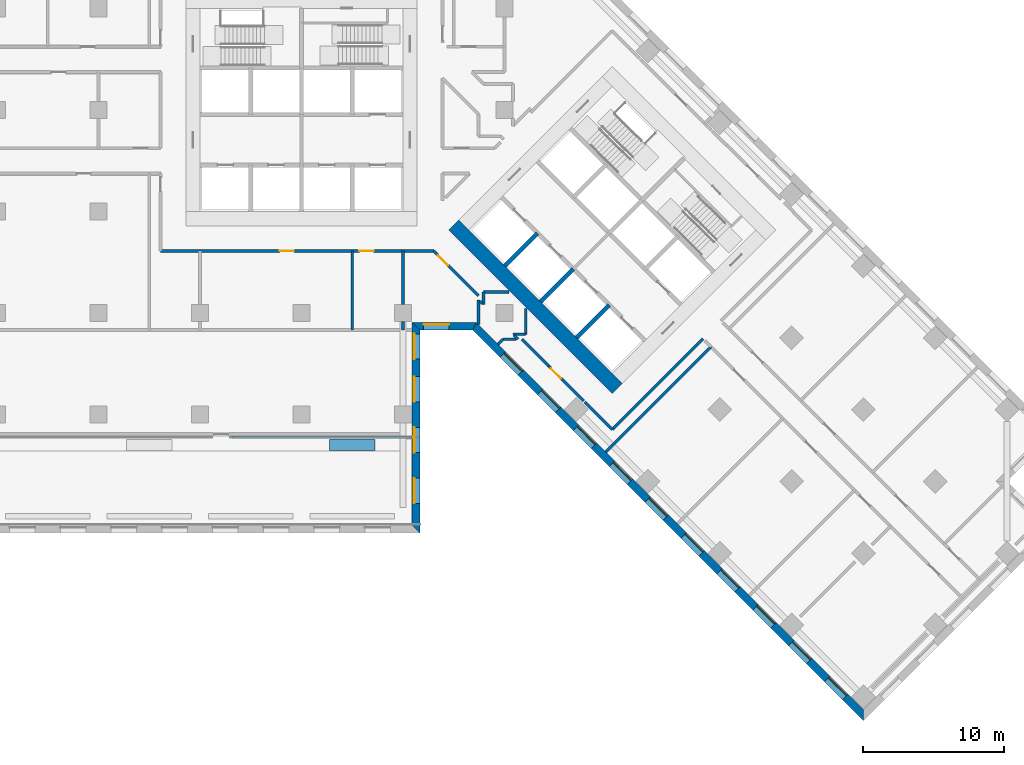
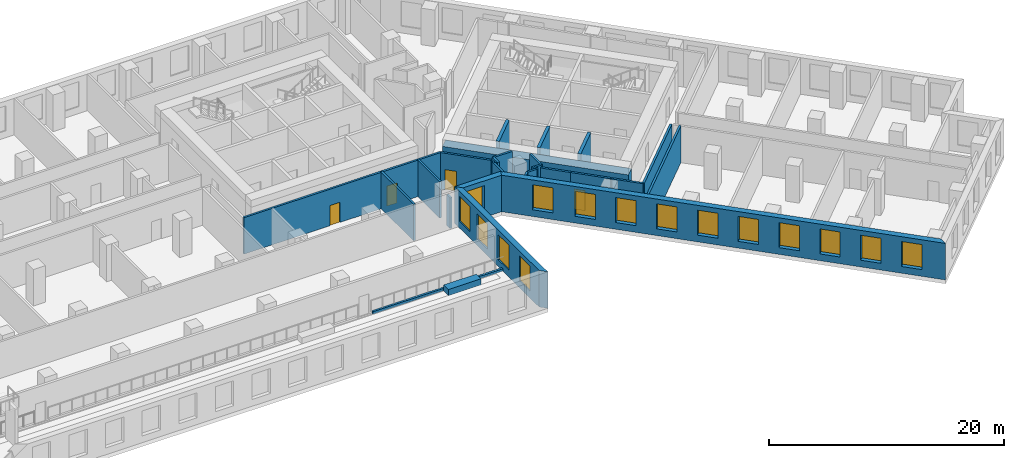
# One storey, part 6 of 13: 28 walls, 15 windows, 4 doors, 19 openings.
"""IFC4 building model written with IfcOpenShell, lengths in metres."""

from ifc_helpers import new_model, si_unit, direction, frame, frame_2d, origin, place, context, subcontext, project, spatial, polyline, rectangle, outline, extrude, material, layer, layer_set, type_object, element, fill, save


model = new_model("IFC4")

# Units and contexts
model_context = context("Model", 3, precision=1e-05, world=origin(), true_north=direction((0.0, 1.0)))
body_context = subcontext(model_context, "Body", "Model", "MODEL_VIEW")
ifc_project = project(units=[si_unit("LENGTHUNIT", "METRE"), si_unit("AREAUNIT", "SQUARE_METRE"), si_unit("VOLUMEUNIT", "CUBIC_METRE"), si_unit("PLANEANGLEUNIT", "RADIAN"), si_unit("MASSUNIT", "GRAM", prefix="KILO")], contexts=[model_context])

# Site, building, storey
site_placement = place(None, origin())
site = spatial("IfcSite", under=ifc_project, at=site_placement, CompositionType="ELEMENT")
building_placement = place(site_placement, origin())
building = spatial("IfcBuilding", under=site, at=building_placement, Name="Windrow Commons", CompositionType="ELEMENT")
storey_placement = place(building_placement, frame((0.0, 0.0, 14.4)))
storey = spatial("IfcBuildingStorey", under=building, at=storey_placement, Name="L03", CompositionType="ELEMENT", Elevation=14.4)

# Wall, openings, windows
ifc_material_1 = material(Name="Brick masonry, red clay brick", Category="masonry")
ifc_layer_1 = layer(ifc_material_1, 0.55)
ifc_layer_set_1 = layer_set([ifc_layer_1], Name="Brick facade wall 550")
wall_type_1 = type_object("IfcWallType", Name="Brick facade wall 550", PredefinedType="SOLIDWALL", material=ifc_layer_set_1)
wall_1_placement = place(storey_placement, frame((72.925, 27.875, 0.0), z_axis=(0.0, 0.0, 1.0), x_axis=(0.0, 1.0, 0.0)))
wall_1 = element("IfcWall", 1, at=wall_1_placement, inside=storey, type_object=wall_type_1, Name="Brick facade wall L03 14", PredefinedType="SOLIDWALL", context=body_context, shape_type="SweptSolid", body=[
    extrude(outline(polyline([(-0.275, -0.275), (14.125, -0.275), (14.675, 0.275), (0.275, 0.275), (-0.275, -0.275)])), origin(), (0.0, 0.0, 1.0), 3.8),
])
opening_1_placement = place(wall_1_placement, frame((1.825, 0.0, 0.7)))
opening_1 = element("IfcOpeningElement", 2, at=opening_1_placement, cuts=wall_1, Name="Opening W2", PredefinedType="OPENING", context=body_context, shape_type="SweptSolid", body=[
    extrude(rectangle(XDim=1.8, YDim=2.6, at=frame_2d((0.9, 1.3))), frame((0.0, 0.285, 0.0), z_axis=(0.0, -1.0, 0.0), x_axis=(1.0, 0.0, 0.0)), (0.0, 0.0, 1.0), 0.57),
])
opening_2_placement = place(wall_1_placement, frame((5.425, 0.0, 0.7)))
opening_2 = element("IfcOpeningElement", 3, at=opening_2_placement, cuts=wall_1, Name="Opening W2", PredefinedType="OPENING", context=body_context, shape_type="SweptSolid", body=[
    extrude(rectangle(XDim=1.8, YDim=2.6, at=frame_2d((0.9, 1.3))), frame((0.0, 0.285, 0.0), z_axis=(0.0, -1.0, 0.0), x_axis=(1.0, 0.0, 0.0)), (0.0, 0.0, 1.0), 0.57),
])
opening_3_placement = place(wall_1_placement, frame((9.025, 0.0, 0.7)))
opening_3 = element("IfcOpeningElement", 4, at=opening_3_placement, cuts=wall_1, Name="Opening W2", PredefinedType="OPENING", context=body_context, shape_type="SweptSolid", body=[
    extrude(rectangle(XDim=1.8, YDim=2.6, at=frame_2d((0.9, 1.3))), frame((0.0, 0.285, 0.0), z_axis=(0.0, -1.0, 0.0), x_axis=(1.0, 0.0, 0.0)), (0.0, 0.0, 1.0), 0.57),
])
opening_4_placement = place(wall_1_placement, frame((12.0625, 0.0, 0.7)))
opening_4 = element("IfcOpeningElement", 5, at=opening_4_placement, cuts=wall_1, Name="Opening W2", PredefinedType="OPENING", context=body_context, shape_type="SweptSolid", body=[
    extrude(rectangle(XDim=1.8, YDim=2.6, at=frame_2d((0.9, 1.3))), frame((0.0, 0.285, 0.0), z_axis=(0.0, -1.0, 0.0), x_axis=(1.0, 0.0, 0.0)), (0.0, 0.0, 1.0), 0.57),
])
ifc_material_2 = material(Name="Clear float glass in anodised aluminium frame", Category="aluminium")
window_type = type_object("IfcWindowType", Name="Window W2 podium 1800x2600", PartitioningType="SINGLE_PANEL", PredefinedType="WINDOW", material=ifc_material_2)
window_1_placement = place(opening_1_placement, origin())
window_1 = element("IfcWindow", 6, at=window_1_placement, inside=storey, type_object=window_type, Name="Window L03 14.1", OverallHeight=2.6, OverallWidth=1.8, PartitioningType="SINGLE_PANEL", PredefinedType="WINDOW", context=body_context, shape_type="SweptSolid", body=[
    extrude(rectangle(XDim=1.8, YDim=2.6, at=frame_2d((0.9, 1.3))), frame((0.0, 0.155, 0.0), z_axis=(0.0, -1.0, 0.0), x_axis=(1.0, 0.0, 0.0)), (0.0, 0.0, 1.0), 0.06),
])
fill(opening_1, window_1)
window_2_placement = place(opening_2_placement, origin())
window_2 = element("IfcWindow", 7, at=window_2_placement, inside=storey, type_object=window_type, Name="Window L03 14.2", OverallHeight=2.6, OverallWidth=1.8, PartitioningType="SINGLE_PANEL", PredefinedType="WINDOW", context=body_context, shape_type="SweptSolid", body=[
    extrude(rectangle(XDim=1.8, YDim=2.6, at=frame_2d((0.9, 1.3))), frame((0.0, 0.155, 0.0), z_axis=(0.0, -1.0, 0.0), x_axis=(1.0, 0.0, 0.0)), (0.0, 0.0, 1.0), 0.06),
])
fill(opening_2, window_2)
window_3_placement = place(opening_3_placement, origin())
window_3 = element("IfcWindow", 8, at=window_3_placement, inside=storey, type_object=window_type, Name="Window L03 14.3", OverallHeight=2.6, OverallWidth=1.8, PartitioningType="SINGLE_PANEL", PredefinedType="WINDOW", context=body_context, shape_type="SweptSolid", body=[
    extrude(rectangle(XDim=1.8, YDim=2.6, at=frame_2d((0.9, 1.3))), frame((0.0, 0.155, 0.0), z_axis=(0.0, -1.0, 0.0), x_axis=(1.0, 0.0, 0.0)), (0.0, 0.0, 1.0), 0.06),
])
fill(opening_3, window_3)
window_4_placement = place(opening_4_placement, origin())
window_4 = element("IfcWindow", 9, at=window_4_placement, inside=storey, type_object=window_type, Name="Window L03 14.4", OverallHeight=2.6, OverallWidth=1.8, PartitioningType="SINGLE_PANEL", PredefinedType="WINDOW", context=body_context, shape_type="SweptSolid", body=[
    extrude(rectangle(XDim=1.8, YDim=2.6, at=frame_2d((0.9, 1.3))), frame((0.0, 0.155, 0.0), z_axis=(0.0, -1.0, 0.0), x_axis=(1.0, 0.0, 0.0)), (0.0, 0.0, 1.0), 0.06),
])
fill(opening_4, window_4)

# Wall, opening, window
wall_2_placement = place(storey_placement, frame((72.925, 42.275, 0.0), z_axis=(0.0, 0.0, 1.0), x_axis=(1.0, 0.0, 0.0)))
wall_2 = element("IfcWall", 10, at=wall_2_placement, inside=storey, type_object=wall_type_1, Name="Brick facade wall L03 15", PredefinedType="SOLIDWALL", context=body_context, shape_type="SweptSolid", body=[
    extrude(outline(polyline([(0.275, -0.275), (4.0309, -0.275), (4.2587, 0.275), (-0.275, 0.275), (0.275, -0.275)])), origin(), (0.0, 0.0, 1.0), 3.8),
])
opening_5_placement = place(wall_2_placement, frame((0.5375, 0.0, 0.7)))
opening_5 = element("IfcOpeningElement", 11, at=opening_5_placement, cuts=wall_2, Name="Opening W2", PredefinedType="OPENING", context=body_context, shape_type="SweptSolid", body=[
    extrude(rectangle(XDim=1.8, YDim=2.6, at=frame_2d((0.9, 1.3))), frame((0.0, 0.285, 0.0), z_axis=(0.0, -1.0, 0.0), x_axis=(1.0, 0.0, 0.0)), (0.0, 0.0, 1.0), 0.57),
])
window_5_placement = place(opening_5_placement, origin())
window_5 = element("IfcWindow", 12, at=window_5_placement, inside=storey, type_object=window_type, Name="Window L03 15.1", OverallHeight=2.6, OverallWidth=1.8, PartitioningType="SINGLE_PANEL", PredefinedType="WINDOW", context=body_context, shape_type="SweptSolid", body=[
    extrude(rectangle(XDim=1.8, YDim=2.6, at=frame_2d((0.9, 1.3))), frame((0.0, 0.155, 0.0), z_axis=(0.0, -1.0, 0.0), x_axis=(1.0, 0.0, 0.0)), (0.0, 0.0, 1.0), 0.06),
])
fill(opening_5, window_5)

# Wall, openings, windows
wall_3_placement = place(storey_placement, frame((77.0698, 42.275, 0.0), z_axis=(0.0, 0.0, 1.0), x_axis=(0.7071067812, -0.7071067812, 0.0)))
wall_3 = element("IfcWall", 13, at=wall_3_placement, inside=storey, type_object=wall_type_1, Name="Brick facade wall L03 16", PredefinedType="SOLIDWALL", context=body_context, shape_type="SweptSolid", body=[
    extrude(outline(polyline([(0.1139, -0.275), (39.2875, -0.275), (38.7375, 0.275), (-0.1139, 0.275), (0.1139, -0.275)])), origin(), (0.0, 0.0, 1.0), 3.8),
])
opening_6_placement = place(wall_3_placement, frame((2.8375, 0.0, 0.7)))
opening_6 = element("IfcOpeningElement", 14, at=opening_6_placement, cuts=wall_3, Name="Opening W2", PredefinedType="OPENING", context=body_context, shape_type="SweptSolid", body=[
    extrude(rectangle(XDim=1.8, YDim=2.6, at=frame_2d((0.9, 1.3))), frame((0.0, 0.285, 0.0), z_axis=(0.0, -1.0, 0.0), x_axis=(1.0, 0.0, 0.0)), (0.0, 0.0, 1.0), 0.57),
])
opening_7_placement = place(wall_3_placement, frame((6.5875, 0.0, 0.7)))
opening_7 = element("IfcOpeningElement", 15, at=opening_7_placement, cuts=wall_3, Name="Opening W2", PredefinedType="OPENING", context=body_context, shape_type="SweptSolid", body=[
    extrude(rectangle(XDim=1.8, YDim=2.6, at=frame_2d((0.9, 1.3))), frame((0.0, 0.285, 0.0), z_axis=(0.0, -1.0, 0.0), x_axis=(1.0, 0.0, 0.0)), (0.0, 0.0, 1.0), 0.57),
])
opening_8_placement = place(wall_3_placement, frame((10.1875, 0.0, 0.7)))
opening_8 = element("IfcOpeningElement", 16, at=opening_8_placement, cuts=wall_3, Name="Opening W2", PredefinedType="OPENING", context=body_context, shape_type="SweptSolid", body=[
    extrude(rectangle(XDim=1.8, YDim=2.6, at=frame_2d((0.9, 1.3))), frame((0.0, 0.285, 0.0), z_axis=(0.0, -1.0, 0.0), x_axis=(1.0, 0.0, 0.0)), (0.0, 0.0, 1.0), 0.57),
])
opening_9_placement = place(wall_3_placement, frame((13.7875, 0.0, 0.7)))
opening_9 = element("IfcOpeningElement", 17, at=opening_9_placement, cuts=wall_3, Name="Opening W2", PredefinedType="OPENING", context=body_context, shape_type="SweptSolid", body=[
    extrude(rectangle(XDim=1.8, YDim=2.6, at=frame_2d((0.9, 1.3))), frame((0.0, 0.285, 0.0), z_axis=(0.0, -1.0, 0.0), x_axis=(1.0, 0.0, 0.0)), (0.0, 0.0, 1.0), 0.57),
])
opening_10_placement = place(wall_3_placement, frame((17.3875, 0.0, 0.7)))
opening_10 = element("IfcOpeningElement", 18, at=opening_10_placement, cuts=wall_3, Name="Opening W2", PredefinedType="OPENING", context=body_context, shape_type="SweptSolid", body=[
    extrude(rectangle(XDim=1.8, YDim=2.6, at=frame_2d((0.9, 1.3))), frame((0.0, 0.285, 0.0), z_axis=(0.0, -1.0, 0.0), x_axis=(1.0, 0.0, 0.0)), (0.0, 0.0, 1.0), 0.57),
])
opening_11_placement = place(wall_3_placement, frame((20.9875, 0.0, 0.7)))
opening_11 = element("IfcOpeningElement", 19, at=opening_11_placement, cuts=wall_3, Name="Opening W2", PredefinedType="OPENING", context=body_context, shape_type="SweptSolid", body=[
    extrude(rectangle(XDim=1.8, YDim=2.6, at=frame_2d((0.9, 1.3))), frame((0.0, 0.285, 0.0), z_axis=(0.0, -1.0, 0.0), x_axis=(1.0, 0.0, 0.0)), (0.0, 0.0, 1.0), 0.57),
])
opening_12_placement = place(wall_3_placement, frame((24.5875, 0.0, 0.7)))
opening_12 = element("IfcOpeningElement", 20, at=opening_12_placement, cuts=wall_3, Name="Opening W2", PredefinedType="OPENING", context=body_context, shape_type="SweptSolid", body=[
    extrude(rectangle(XDim=1.8, YDim=2.6, at=frame_2d((0.9, 1.3))), frame((0.0, 0.285, 0.0), z_axis=(0.0, -1.0, 0.0), x_axis=(1.0, 0.0, 0.0)), (0.0, 0.0, 1.0), 0.57),
])
opening_13_placement = place(wall_3_placement, frame((28.1875, 0.0, 0.7)))
opening_13 = element("IfcOpeningElement", 21, at=opening_13_placement, cuts=wall_3, Name="Opening W2", PredefinedType="OPENING", context=body_context, shape_type="SweptSolid", body=[
    extrude(rectangle(XDim=1.8, YDim=2.6, at=frame_2d((0.9, 1.3))), frame((0.0, 0.285, 0.0), z_axis=(0.0, -1.0, 0.0), x_axis=(1.0, 0.0, 0.0)), (0.0, 0.0, 1.0), 0.57),
])
opening_14_placement = place(wall_3_placement, frame((31.7875, 0.0, 0.7)))
opening_14 = element("IfcOpeningElement", 22, at=opening_14_placement, cuts=wall_3, Name="Opening W2", PredefinedType="OPENING", context=body_context, shape_type="SweptSolid", body=[
    extrude(rectangle(XDim=1.8, YDim=2.6, at=frame_2d((0.9, 1.3))), frame((0.0, 0.285, 0.0), z_axis=(0.0, -1.0, 0.0), x_axis=(1.0, 0.0, 0.0)), (0.0, 0.0, 1.0), 0.57),
])
opening_15_placement = place(wall_3_placement, frame((35.3875, 0.0, 0.7)))
opening_15 = element("IfcOpeningElement", 23, at=opening_15_placement, cuts=wall_3, Name="Opening W2", PredefinedType="OPENING", context=body_context, shape_type="SweptSolid", body=[
    extrude(rectangle(XDim=1.8, YDim=2.6, at=frame_2d((0.9, 1.3))), frame((0.0, 0.285, 0.0), z_axis=(0.0, -1.0, 0.0), x_axis=(1.0, 0.0, 0.0)), (0.0, 0.0, 1.0), 0.57),
])
window_6_placement = place(opening_6_placement, origin())
window_6 = element("IfcWindow", 24, at=window_6_placement, inside=storey, type_object=window_type, Name="Window L03 16.1", OverallHeight=2.6, OverallWidth=1.8, PartitioningType="SINGLE_PANEL", PredefinedType="WINDOW", context=body_context, shape_type="SweptSolid", body=[
    extrude(rectangle(XDim=1.8, YDim=2.6, at=frame_2d((0.9, 1.3))), frame((0.0, 0.155, 0.0), z_axis=(0.0, -1.0, 0.0), x_axis=(1.0, 0.0, 0.0)), (0.0, 0.0, 1.0), 0.06),
])
fill(opening_6, window_6)
window_7_placement = place(opening_7_placement, origin())
window_7 = element("IfcWindow", 25, at=window_7_placement, inside=storey, type_object=window_type, Name="Window L03 16.2", OverallHeight=2.6, OverallWidth=1.8, PartitioningType="SINGLE_PANEL", PredefinedType="WINDOW", context=body_context, shape_type="SweptSolid", body=[
    extrude(rectangle(XDim=1.8, YDim=2.6, at=frame_2d((0.9, 1.3))), frame((0.0, 0.155, 0.0), z_axis=(0.0, -1.0, 0.0), x_axis=(1.0, 0.0, 0.0)), (0.0, 0.0, 1.0), 0.06),
])
fill(opening_7, window_7)
window_8_placement = place(opening_8_placement, origin())
window_8 = element("IfcWindow", 26, at=window_8_placement, inside=storey, type_object=window_type, Name="Window L03 16.3", OverallHeight=2.6, OverallWidth=1.8, PartitioningType="SINGLE_PANEL", PredefinedType="WINDOW", context=body_context, shape_type="SweptSolid", body=[
    extrude(rectangle(XDim=1.8, YDim=2.6, at=frame_2d((0.9, 1.3))), frame((0.0, 0.155, 0.0), z_axis=(0.0, -1.0, 0.0), x_axis=(1.0, 0.0, 0.0)), (0.0, 0.0, 1.0), 0.06),
])
fill(opening_8, window_8)
window_9_placement = place(opening_9_placement, origin())
window_9 = element("IfcWindow", 27, at=window_9_placement, inside=storey, type_object=window_type, Name="Window L03 16.4", OverallHeight=2.6, OverallWidth=1.8, PartitioningType="SINGLE_PANEL", PredefinedType="WINDOW", context=body_context, shape_type="SweptSolid", body=[
    extrude(rectangle(XDim=1.8, YDim=2.6, at=frame_2d((0.9, 1.3))), frame((0.0, 0.155, 0.0), z_axis=(0.0, -1.0, 0.0), x_axis=(1.0, 0.0, 0.0)), (0.0, 0.0, 1.0), 0.06),
])
fill(opening_9, window_9)
window_10_placement = place(opening_10_placement, origin())
window_10 = element("IfcWindow", 28, at=window_10_placement, inside=storey, type_object=window_type, Name="Window L03 16.5", OverallHeight=2.6, OverallWidth=1.8, PartitioningType="SINGLE_PANEL", PredefinedType="WINDOW", context=body_context, shape_type="SweptSolid", body=[
    extrude(rectangle(XDim=1.8, YDim=2.6, at=frame_2d((0.9, 1.3))), frame((0.0, 0.155, 0.0), z_axis=(0.0, -1.0, 0.0), x_axis=(1.0, 0.0, 0.0)), (0.0, 0.0, 1.0), 0.06),
])
fill(opening_10, window_10)
window_11_placement = place(opening_11_placement, origin())
window_11 = element("IfcWindow", 29, at=window_11_placement, inside=storey, type_object=window_type, Name="Window L03 16.6", OverallHeight=2.6, OverallWidth=1.8, PartitioningType="SINGLE_PANEL", PredefinedType="WINDOW", context=body_context, shape_type="SweptSolid", body=[
    extrude(rectangle(XDim=1.8, YDim=2.6, at=frame_2d((0.9, 1.3))), frame((0.0, 0.155, 0.0), z_axis=(0.0, -1.0, 0.0), x_axis=(1.0, 0.0, 0.0)), (0.0, 0.0, 1.0), 0.06),
])
fill(opening_11, window_11)
window_12_placement = place(opening_12_placement, origin())
window_12 = element("IfcWindow", 30, at=window_12_placement, inside=storey, type_object=window_type, Name="Window L03 16.7", OverallHeight=2.6, OverallWidth=1.8, PartitioningType="SINGLE_PANEL", PredefinedType="WINDOW", context=body_context, shape_type="SweptSolid", body=[
    extrude(rectangle(XDim=1.8, YDim=2.6, at=frame_2d((0.9, 1.3))), frame((0.0, 0.155, 0.0), z_axis=(0.0, -1.0, 0.0), x_axis=(1.0, 0.0, 0.0)), (0.0, 0.0, 1.0), 0.06),
])
fill(opening_12, window_12)
window_13_placement = place(opening_13_placement, origin())
window_13 = element("IfcWindow", 31, at=window_13_placement, inside=storey, type_object=window_type, Name="Window L03 16.8", OverallHeight=2.6, OverallWidth=1.8, PartitioningType="SINGLE_PANEL", PredefinedType="WINDOW", context=body_context, shape_type="SweptSolid", body=[
    extrude(rectangle(XDim=1.8, YDim=2.6, at=frame_2d((0.9, 1.3))), frame((0.0, 0.155, 0.0), z_axis=(0.0, -1.0, 0.0), x_axis=(1.0, 0.0, 0.0)), (0.0, 0.0, 1.0), 0.06),
])
fill(opening_13, window_13)
window_14_placement = place(opening_14_placement, origin())
window_14 = element("IfcWindow", 32, at=window_14_placement, inside=storey, type_object=window_type, Name="Window L03 16.9", OverallHeight=2.6, OverallWidth=1.8, PartitioningType="SINGLE_PANEL", PredefinedType="WINDOW", context=body_context, shape_type="SweptSolid", body=[
    extrude(rectangle(XDim=1.8, YDim=2.6, at=frame_2d((0.9, 1.3))), frame((0.0, 0.155, 0.0), z_axis=(0.0, -1.0, 0.0), x_axis=(1.0, 0.0, 0.0)), (0.0, 0.0, 1.0), 0.06),
])
fill(opening_14, window_14)
window_15_placement = place(opening_15_placement, origin())
window_15 = element("IfcWindow", 33, at=window_15_placement, inside=storey, type_object=window_type, Name="Window L03 16.10", OverallHeight=2.6, OverallWidth=1.8, PartitioningType="SINGLE_PANEL", PredefinedType="WINDOW", context=body_context, shape_type="SweptSolid", body=[
    extrude(rectangle(XDim=1.8, YDim=2.6, at=frame_2d((0.9, 1.3))), frame((0.0, 0.155, 0.0), z_axis=(0.0, -1.0, 0.0), x_axis=(1.0, 0.0, 0.0)), (0.0, 0.0, 1.0), 0.06),
])
fill(opening_15, window_15)

# Wall, openings, doors
ifc_material_3 = material(Name="Blockwork partition", Category="masonry")
ifc_layer_2 = layer(ifc_material_3, 0.2)
ifc_layer_set_2 = layer_set([ifc_layer_2], Name="IW-CORRIDOR-200")
wall_type_2 = type_object("IfcWallType", Name="IW-CORRIDOR-200", PredefinedType="PARTITIONING", material=ifc_layer_set_2)
wall_4_placement = place(storey_placement, frame((54.8, 47.6, 0.0), z_axis=(0.0, 0.0, 1.0), x_axis=(1.0, 0.0, 0.0)))
wall_4 = element("IfcWall", 34, at=wall_4_placement, inside=storey, type_object=wall_type_2, Name="W-L03-W008", PredefinedType="PARTITIONING", context=body_context, shape_type="SweptSolid", body=[
    extrude(rectangle(XDim=19.384, YDim=0.2, at=frame_2d((9.692, 0.0))), origin(), (0.0, 0.0, 1.0), 3.8),
])
opening_16_placement = place(wall_4_placement, frame((8.4583, 0.0, 0.0)))
opening_16 = element("IfcOpeningElement", 35, at=opening_16_placement, cuts=wall_4, Name="Opening D310F", PredefinedType="OPENING", context=body_context, shape_type="SweptSolid", body=[
    extrude(rectangle(XDim=1.0, YDim=2.1, at=frame_2d((0.5, 1.05))), frame((0.0, 0.11, 0.0), z_axis=(0.0, -1.0, 0.0), x_axis=(1.0, 0.0, 0.0)), (0.0, 0.0, 1.0), 0.22),
])
opening_17_placement = place(wall_4_placement, frame((14.1075, 0.0, 0.0)))
opening_17 = element("IfcOpeningElement", 36, at=opening_17_placement, cuts=wall_4, Name="Opening D310F", PredefinedType="OPENING", context=body_context, shape_type="SweptSolid", body=[
    extrude(rectangle(XDim=1.0, YDim=2.1, at=frame_2d((0.5, 1.05))), frame((0.0, 0.11, 0.0), z_axis=(0.0, -1.0, 0.0), x_axis=(1.0, 0.0, 0.0)), (0.0, 0.0, 1.0), 0.22),
])
ifc_material_4 = material(Name="Timber door leaf", Category="wood")
door_type = type_object("IfcDoorType", Name="DT-AMENITY-1000", OperationType="SINGLE_SWING_LEFT", PredefinedType="DOOR", material=ifc_material_4)
door_1_placement = place(opening_16_placement, origin())
door_1 = element("IfcDoor", 37, at=door_1_placement, inside=storey, type_object=door_type, Name="D-L03-D007", OperationType="SINGLE_SWING_LEFT", OverallHeight=2.1, OverallWidth=1.0, PredefinedType="DOOR", context=body_context, shape_type="SweptSolid", body=[
    extrude(rectangle(XDim=1.0, YDim=2.1, at=frame_2d((0.5, 1.05))), frame((0.0, 0.025, 0.0), z_axis=(0.0, -1.0, 0.0), x_axis=(1.0, 0.0, 0.0)), (0.0, 0.0, 1.0), 0.05),
])
fill(opening_16, door_1)
door_2_placement = place(opening_17_placement, origin())
door_2 = element("IfcDoor", 38, at=door_2_placement, inside=storey, type_object=door_type, Name="D-L03-D008", OperationType="SINGLE_SWING_RIGHT", OverallHeight=2.1, OverallWidth=1.0, PredefinedType="DOOR", context=body_context, shape_type="SweptSolid", body=[
    extrude(rectangle(XDim=1.0, YDim=2.1, at=frame_2d((0.5, 1.05))), frame((0.0, 0.025, 0.0), z_axis=(0.0, -1.0, 0.0), x_axis=(1.0, 0.0, 0.0)), (0.0, 0.0, 1.0), 0.05),
])
fill(opening_17, door_2)

# Wall
wall_5_placement = place(storey_placement, frame((86.8357, 34.9483, 0.0), z_axis=(0.0, 0.0, 1.0), x_axis=(0.7071067812, 0.7071067812, 0.0)))
element("IfcWall", 39, at=wall_5_placement, inside=storey, type_object=wall_type_2, Name="W-L03-W030", PredefinedType="PARTITIONING", context=body_context, shape_type="SweptSolid", body=[
    extrude(rectangle(XDim=9.0991, YDim=0.2, at=frame_2d((4.5495, 0.0))), origin(), (0.0, 0.0, 1.0), 3.8),
])

# Wall, opening, door
wall_6_placement = place(storey_placement, frame((74.181, 47.597, 0.0), z_axis=(0.0, 0.0, 1.0), x_axis=(0.7071067812, -0.7071067812, 0.0)))
wall_6 = element("IfcWall", 40, at=wall_6_placement, inside=storey, type_object=wall_type_2, Name="W-L03-W051", PredefinedType="PARTITIONING", context=body_context, shape_type="SweptSolid", body=[
    extrude(rectangle(XDim=4.4774, YDim=0.2, at=frame_2d((2.2387, 0.0))), origin(), (0.0, 0.0, 1.0), 3.8),
])
opening_18_placement = place(wall_6_placement, frame((0.4233, 0.0, 0.0)))
opening_18 = element("IfcOpeningElement", 41, at=opening_18_placement, cuts=wall_6, Name="Opening D310F", PredefinedType="OPENING", context=body_context, shape_type="SweptSolid", body=[
    extrude(rectangle(XDim=1.0, YDim=2.1, at=frame_2d((0.5, 1.05))), frame((0.0, 0.11, 0.0), z_axis=(0.0, -1.0, 0.0), x_axis=(1.0, 0.0, 0.0)), (0.0, 0.0, 1.0), 0.22),
])
door_3_placement = place(opening_18_placement, origin())
door_3 = element("IfcDoor", 42, at=door_3_placement, inside=storey, type_object=door_type, Name="D-L03-D009", OperationType="SINGLE_SWING_LEFT", OverallHeight=2.1, OverallWidth=1.0, PredefinedType="DOOR", context=body_context, shape_type="SweptSolid", body=[
    extrude(rectangle(XDim=1.0, YDim=2.1, at=frame_2d((0.5, 1.05))), frame((0.0, 0.025, 0.0), z_axis=(0.0, -1.0, 0.0), x_axis=(1.0, 0.0, 0.0)), (0.0, 0.0, 1.0), 0.05),
])
fill(opening_18, door_3)

wall_7_placement = place(storey_placement, frame((82.3136, 39.4756, 0.0), z_axis=(0.0, 0.0, 1.0), x_axis=(0.7068251215, -0.7073883287, 0.0)))
wall_7 = element("IfcWall", 43, at=wall_7_placement, inside=storey, type_object=wall_type_2, Name="W-L03-W061", PredefinedType="PARTITIONING", context=body_context, shape_type="SweptSolid", body=[
    extrude(rectangle(XDim=3.5511, YDim=0.2, at=frame_2d((1.7755, 0.0))), origin(), (0.0, 0.0, 1.0), 3.8),
])
opening_19_placement = place(wall_7_placement, frame((0.2747, 0.0, 0.0)))
opening_19 = element("IfcOpeningElement", 44, at=opening_19_placement, cuts=wall_7, Name="Opening D310F", PredefinedType="OPENING", context=body_context, shape_type="SweptSolid", body=[
    extrude(rectangle(XDim=1.0, YDim=2.1, at=frame_2d((0.5, 1.05))), frame((0.0, 0.11, 0.0), z_axis=(0.0, -1.0, 0.0), x_axis=(1.0, 0.0, 0.0)), (0.0, 0.0, 1.0), 0.22),
])
door_4_placement = place(opening_19_placement, origin())
door_4 = element("IfcDoor", 45, at=door_4_placement, inside=storey, type_object=door_type, Name="D-L03-D031", OperationType="SINGLE_SWING_RIGHT", OverallHeight=2.1, OverallWidth=1.0, PredefinedType="DOOR", context=body_context, shape_type="SweptSolid", body=[
    extrude(rectangle(XDim=1.0, YDim=2.1, at=frame_2d((0.5, 1.05))), frame((0.0, 0.025, 0.0), z_axis=(0.0, -1.0, 0.0), x_axis=(1.0, 0.0, 0.0)), (0.0, 0.0, 1.0), 0.05),
])
fill(opening_19, door_4)

# Walls
wall_8_placement = place(storey_placement, frame((84.889, 36.889, 0.0), z_axis=(0.0, 0.0, 1.0), x_axis=(0.7071067812, -0.7071067812, 0.0)))
element("IfcWall", 46, at=wall_8_placement, inside=storey, type_object=wall_type_2, Name="W-L03-W062", PredefinedType="PARTITIONING", context=body_context, shape_type="SweptSolid", body=[
    extrude(rectangle(XDim=2.7492, YDim=0.2, at=frame_2d((1.3746, 0.0))), origin(), (0.0, 0.0, 1.0), 3.8),
])
wall_9_placement = place(storey_placement, frame((80.4343, 41.3503, 0.0), z_axis=(0.0, 0.0, 1.0), x_axis=(0.7074834026, -0.7067299591, 0.0)))
element("IfcWall", 47, at=wall_9_placement, inside=storey, type_object=wall_type_2, Name="W-L03-W064", PredefinedType="PARTITIONING", context=body_context, shape_type="SweptSolid", body=[
    extrude(rectangle(XDim=2.6545, YDim=0.2, at=frame_2d((1.3273, 0.0))), origin(), (0.0, 0.0, 1.0), 3.8),
])
for number, where, z_axis, x_axis, name in (
    (48, (77.702, 44.7, 0.0), (0.0, 0.0, 1.0), (1.0, 0.0, 0.0), "W-L03-W085"),
    (49, (80.7, 41.702, 0.0), (0.0, 0.0, 1.0), (0.0, 1.0, 0.0), "W-L03-W086"),
):
    element("IfcWall", number, at=place(storey_placement, frame(where, z_axis=z_axis, x_axis=x_axis)), inside=storey, type_object=wall_type_2, Name=name, PredefinedType="PARTITIONING", context=body_context, shape_type="SweptSolid", body=[
        extrude(rectangle(XDim=1.814, YDim=0.2, at=frame_2d((0.907, 0.0))), origin(), (0.0, 0.0, 1.0), 3.8),
    ])
for number, where, z_axis, x_axis, name in (
    (50, (77.7, 43.802, 0.0), (0.0, 0.0, 1.0), (0.0, 1.0, 0.0), "W-L03-W103"),
    (51, (79.802, 41.7, 0.0), (0.0, 0.0, 1.0), (1.0, 0.0, 0.0), "W-L03-W104"),
):
    element("IfcWall", number, at=place(storey_placement, frame(where, z_axis=z_axis, x_axis=x_axis)), inside=storey, type_object=wall_type_2, Name=name, PredefinedType="PARTITIONING", context=body_context, shape_type="SweptSolid", body=[
        extrude(rectangle(XDim=0.898, YDim=0.2, at=frame_2d((0.449, 0.0))), origin(), (0.0, 0.0, 1.0), 3.8),
    ])
wall_10_placement = place(storey_placement, frame((77.4455, 44.0495, 0.0), z_axis=(0.0, 0.0, 1.0), x_axis=(0.707329037, -0.7068844555, 0.0)))
element("IfcWall", 52, at=wall_10_placement, inside=storey, type_object=wall_type_2, Name="W-L03-W114", PredefinedType="PARTITIONING", context=body_context, shape_type="SweptSolid", body=[
    extrude(rectangle(XDim=0.2249, YDim=0.2, at=frame_2d((0.1124, 0.0))), origin(), (0.0, 0.0, 1.0), 3.8),
])
wall_11_placement = place(storey_placement, frame((79.8905, 41.6046, 0.0), z_axis=(0.0, 0.0, 1.0), x_axis=(0.7069697583, -0.7072437776, 0.0)))
element("IfcWall", 53, at=wall_11_placement, inside=storey, type_object=wall_type_2, Name="W-L03-W115", PredefinedType="PARTITIONING", context=body_context, shape_type="SweptSolid", body=[
    extrude(rectangle(XDim=0.3649, YDim=0.2, at=frame_2d((0.1825, 0.0))), origin(), (0.0, 0.0, 1.0), 3.8),
])
ifc_material_5 = material(Name="Blockwork partition", Category="masonry")
ifc_layer_3 = layer(ifc_material_5, 0.2)
ifc_layer_set_3 = layer_set([ifc_layer_3], Name="IW-PARTY-200")
wall_type_3 = type_object("IfcWallType", Name="IW-PARTY-200", PredefinedType="PARTITIONING", material=ifc_layer_set_3)
wall_12_placement = place(storey_placement, frame((86.3763, 33.3574, 0.0), z_axis=(0.0, 0.0, 1.0), x_axis=(0.7071020419, 0.7071115204, 0.0)))
element("IfcWall", 54, at=wall_12_placement, inside=storey, type_object=wall_type_3, Name="W-L03-W012", PredefinedType="PARTITIONING", context=body_context, shape_type="SweptSolid", body=[
    extrude(rectangle(XDim=10.5502, YDim=0.2, at=frame_2d((5.2751, 0.0))), origin(), (0.0, 0.0, 1.0), 3.8),
])
wall_13_placement = place(storey_placement, frame((68.4, 42.0, 0.0), z_axis=(0.0, 0.0, 1.0), x_axis=(0.0, 1.0, 0.0)))
element("IfcWall", 55, at=wall_13_placement, inside=storey, type_object=wall_type_3, Name="W-L03-W040", PredefinedType="PARTITIONING", context=body_context, shape_type="SweptSolid", body=[
    extrude(rectangle(XDim=5.6, YDim=0.2, at=frame_2d((2.8, 0.0))), origin(), (0.0, 0.0, 1.0), 3.8),
])
wall_14_placement = place(storey_placement, frame((72.0, 43.8, 0.0), z_axis=(0.0, 0.0, 1.0), x_axis=(0.0, 1.0, 0.0)))
element("IfcWall", 56, at=wall_14_placement, inside=storey, type_object=wall_type_3, Name="W-L03-W057", PredefinedType="PARTITIONING", context=body_context, shape_type="SweptSolid", body=[
    extrude(rectangle(XDim=3.8, YDim=0.2, at=frame_2d((1.9, 0.0))), origin(), (0.0, 0.0, 1.0), 3.8),
])
wall_15_placement = place(storey_placement, frame((77.35, 42.3837, 0.0), z_axis=(0.0, 0.0, 1.0), x_axis=(0.0, 1.0, 0.0)))
element("IfcWall", 57, at=wall_15_placement, inside=storey, type_object=wall_type_3, Name="W-L03-W094", PredefinedType="PARTITIONING", context=body_context, shape_type="SweptSolid", body=[
    extrude(rectangle(XDim=1.7683, YDim=0.2, at=frame_2d((0.8841, 0.0))), origin(), (0.0, 0.0, 1.0), 3.8),
])
wall_16_placement = place(storey_placement, frame((79.098, 41.35, 0.0), z_axis=(0.0, 0.0, 1.0), x_axis=(1.0, 0.0, 0.0)))
element("IfcWall", 58, at=wall_16_placement, inside=storey, type_object=wall_type_3, Name="W-L03-W100", PredefinedType="PARTITIONING", context=body_context, shape_type="SweptSolid", body=[
    extrude(rectangle(XDim=0.914, YDim=0.2, at=frame_2d((0.457, 0.0))), origin(), (0.0, 0.0, 1.0), 3.8),
])
wall_17_placement = place(storey_placement, frame((72.0, 42.0, 0.0), z_axis=(0.0, 0.0, 1.0), x_axis=(0.0, 1.0, 0.0)))
element("IfcWall", 59, at=wall_17_placement, inside=storey, type_object=wall_type_3, Name="W-L03-W111", PredefinedType="PARTITIONING", context=body_context, shape_type="SweptSolid", body=[
    extrude(rectangle(XDim=0.6, YDim=0.2, at=frame_2d((0.3, 0.0))), origin(), (0.0, 0.0, 1.0), 3.2),
])
wall_18_placement = place(storey_placement, frame((78.7395, 40.9942, 0.0), z_axis=(0.0, 0.0, 1.0), x_axis=(0.7072060451, 0.7070075033, 0.0)))
element("IfcWall", 60, at=wall_18_placement, inside=storey, type_object=wall_type_3, Name="W-L03-W116", PredefinedType="PARTITIONING", context=body_context, shape_type="SweptSolid", body=[
    extrude(rectangle(XDim=0.5037, YDim=0.2, at=frame_2d((0.2519, 0.0))), origin(), (0.0, 0.0, 1.0), 3.8),
])
ifc_material_6 = material(Name="Concrete C30/37 planter wall", Category="concrete")
ifc_layer_4 = layer(ifc_material_6, 0.8)
ifc_layer_set_4 = layer_set([ifc_layer_4], Name="Planter 800x600")
wall_type_4 = type_object("IfcWallType", Name="Planter 800x600", PredefinedType="SOLIDWALL", material=ifc_layer_set_4)
wall_19_placement = place(storey_placement, frame((70.0068, 33.85, 0.0), z_axis=(0.0, 0.0, 1.0), x_axis=(-1.0, 0.0, 0.0)))
element("IfcWall", 61, at=wall_19_placement, inside=storey, type_object=wall_type_4, Name="PLANTER TR-L03-1.1", PredefinedType="SOLIDWALL", context=body_context, shape_type="SweptSolid", body=[
    extrude(outline(polyline([(0.0, -0.4), (3.2136, -0.4), (3.2136, 0.4), (0.0, 0.4), (0.0, -0.4)])), origin(), (0.0, 0.0, 1.0), 0.65),
])
ifc_material_7 = material(Name="Concrete C60/75", Category="concrete")
ifc_layer_5 = layer(ifc_material_7, 1.0)
ifc_layer_set_5 = layer_set([ifc_layer_5], Name="RC CORE WALL 1000 C60/75")
wall_type_5 = type_object("IfcWallType", Name="RC CORE WALL 1000 C60/75", PredefinedType="SHEAR", material=ifc_layer_set_5)
wall_20_placement = place(storey_placement, frame((75.5938, 49.4433, -0.4), z_axis=(0.0, 0.0, 1.0), x_axis=(0.7071037324, -0.70710983, 0.0)))
element("IfcWall", 62, at=wall_20_placement, inside=storey, type_object=wall_type_5, Name="Core B wall outer-S", PredefinedType="SHEAR", context=body_context, shape_type="SweptSolid", body=[
    extrude(rectangle(XDim=16.4, YDim=1.0, at=frame_2d((8.2, 0.0))), origin(), (0.0, 0.0, 1.0), 3.5),
])
ifc_material_8 = material(Name="Concrete C60/75", Category="concrete")
ifc_layer_6 = layer(ifc_material_8, 0.3)
ifc_layer_set_6 = layer_set([ifc_layer_6], Name="RC SHAFT WALL 300 C60/75")
wall_type_6 = type_object("IfcWallType", Name="RC SHAFT WALL 300 C60/75", PredefinedType="SOLIDWALL", material=ifc_layer_set_6)
wall_21_placement = place(storey_placement, frame((79.2, 46.5442, 0.0), z_axis=(0.0, 0.0, 1.0), x_axis=(0.7071219326, 0.7070916295, 0.0)))
element("IfcWall", 63, at=wall_21_placement, inside=storey, type_object=wall_type_6, Name="Core B wall shaft-S1", PredefinedType="SOLIDWALL", context=body_context, shape_type="SweptSolid", body=[
    extrude(rectangle(XDim=3.3, YDim=0.3, at=frame_2d((1.65, 0.0))), origin(), (0.0, 0.0, 1.0), 3.8),
])
for number, where, z_axis, x_axis, name in (
    (64, (81.7456, 43.9986, 0.0), (0.0, 0.0, 1.0), (0.7071067812, 0.7071067812, 0.0), "Core B wall shaft-S2"),
    (65, (84.2912, 41.453, 0.0), (0.0, 0.0, 1.0), (0.7071067812, 0.7071067812, 0.0), "Core B wall shaft-S3"),
):
    element("IfcWall", number, at=place(storey_placement, frame(where, z_axis=z_axis, x_axis=x_axis)), inside=storey, type_object=wall_type_6, Name=name, PredefinedType="SOLIDWALL", context=body_context, shape_type="SweptSolid", body=[
        extrude(rectangle(XDim=3.2999, YDim=0.3, at=frame_2d((1.65, 0.0))), origin(), (0.0, 0.0, 1.0), 3.8),
    ])
ifc_material_9 = material(Name="Brick masonry, red clay brick", Category="masonry")
ifc_layer_7 = layer(ifc_material_9, 0.2)
ifc_layer_set_7 = layer_set([ifc_layer_7], Name="Terrace edge parapet 200")
wall_type_7 = type_object("IfcWallType", Name="Terrace edge parapet 200", PredefinedType="PARAPET", material=ifc_layer_set_7)
wall_22_placement = place(storey_placement, frame((72.65, 34.4, 0.0), z_axis=(0.0, 0.0, 1.0), x_axis=(-1.0, 0.0, 0.0)))
element("IfcWall", 66, at=wall_22_placement, inside=storey, type_object=wall_type_7, Name="Terrace parapet TR-L03-1.1.1", PredefinedType="PARAPET", context=body_context, shape_type="SweptSolid", body=[
    extrude(outline(polyline([(0.0, -0.1), (12.78, -0.1), (12.78, 0.1), (0.0, 0.1), (0.0, -0.1)])), origin(), (0.0, 0.0, 1.0), 0.25),
])

save(model, "model.ifc")
